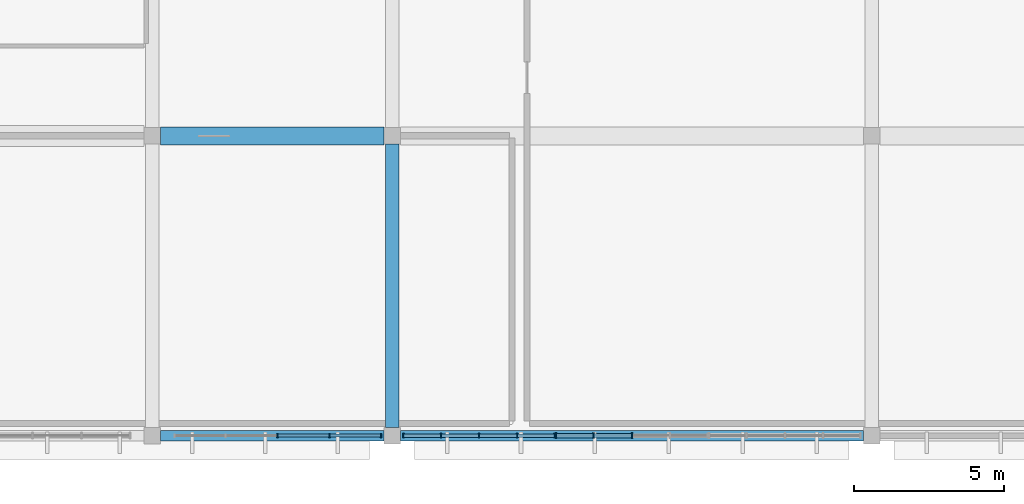
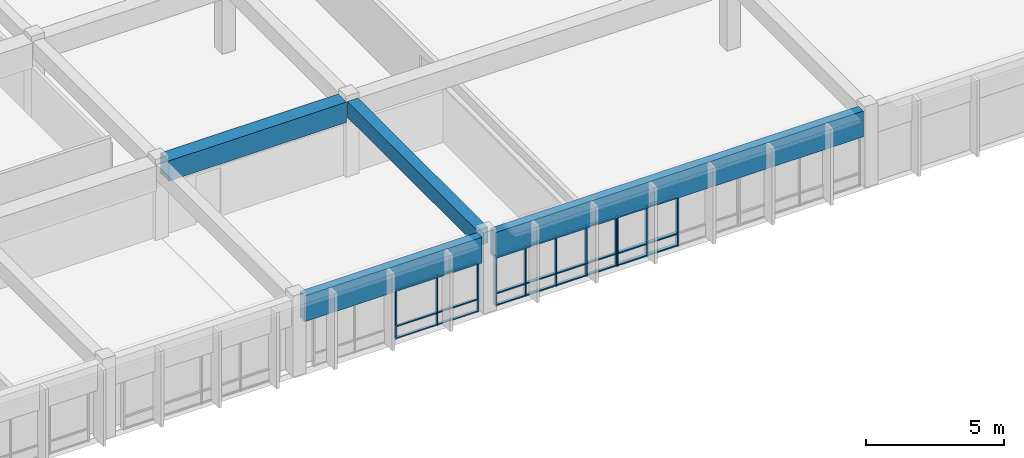
# One storey, part 31 of 77: 35 members, 4 beams, 3 elements without a shape of their own.
"""IFC4 building model written with IfcOpenShell, lengths in metres."""

import ifcopenshell
import ifcopenshell.guid

model = None  # the IFC model being written
_history = None  # IfcOwnerHistory: only IFC2X3 demands one
_inside = {}  # id of a spatial element -> (the spatial element, [elements in it])
_under = {}  # id of a project, library or spatial element -> (it, [spatial elements below it])
_declared = {}  # id of a project -> (the project, [libraries it declares])
_typed = {}  # id of a type object -> (the type object, [elements of that type])
_made_of = {}  # id of a material, layer set ... -> (it, [elements and type objects made of it])


def new_model(schema):
    """Start an empty IFC model of exactly this schema.

    Asked for "IFC4X3", IfcOpenShell would pick the latest addendum, in which some entities
    have other attributes; the version numbers below select the first issue.
    IFC2X3 requires an IfcOwnerHistory on every rooted entity: one is made here for all.
    """
    global model, _history
    if schema == "IFC4X3":
        model = ifcopenshell.file(schema_version=(4, 3, 0, 0))
    else:
        model = ifcopenshell.file(schema=schema)
    _inside.clear()
    _under.clear()
    _declared.clear()
    _typed.clear()
    _made_of.clear()
    _history = None
    if model.schema == "IFC2X3":
        org = make("IfcOrganization", Name="unknown")
        user = make(
            "IfcPersonAndOrganization",
            ThePerson=make("IfcPerson", FamilyName="unknown"),
            TheOrganization=org,
        )
        app = make(
            "IfcApplication",
            ApplicationDeveloper=org,
            Version="unknown",
            ApplicationFullName="unknown",
            ApplicationIdentifier="unknown",
        )
        _history = make(
            "IfcOwnerHistory",
            OwningUser=user,
            OwningApplication=app,
            ChangeAction="ADDED",
            CreationDate=0,
        )
    return model


def make(cls, **values):
    """One entity of the class cls with the attributes given. An attribute that is None is left unset."""
    return model.create_entity(
        cls, **{name: value for name, value in values.items() if value is not None}
    )


def rooted(cls, **values):
    """An entity with a GlobalId (a new one), such as an element, a storey or a relation."""
    return make(cls, GlobalId=ifcopenshell.guid.new(), OwnerHistory=_history, **values)


def si_unit(unit_type, name, prefix=None):
    """IfcSIUnit, for example si_unit("LENGTHUNIT", "METRE", prefix="MILLI")."""
    return make("IfcSIUnit", UnitType=unit_type, Prefix=prefix, Name=name)


def assignment(units):
    """IfcUnitAssignment: the units of a project."""
    return None if units is None else make("IfcUnitAssignment", Units=units)


def point(xyz):
    """IfcCartesianPoint."""
    return None if xyz is None else make("IfcCartesianPoint", Coordinates=xyz)


def direction(xyz):
    """IfcDirection."""
    return None if xyz is None else make("IfcDirection", DirectionRatios=xyz)


def frame(location, z_axis=None, x_axis=None):
    """IfcAxis2Placement3D, a coordinate frame: its origin and axes. An axis left out is left unset."""
    return make(
        "IfcAxis2Placement3D",
        Location=point(location),
        Axis=direction(z_axis),
        RefDirection=direction(x_axis),
    )


def frame_2d(location, x_axis=None):
    """IfcAxis2Placement2D, a coordinate frame in the plane: its origin and x axis."""
    return make(
        "IfcAxis2Placement2D", Location=point(location), RefDirection=direction(x_axis)
    )


def origin():
    """The frame at (0, 0, 0) with its axes left unset."""
    return frame((0.0, 0.0, 0.0))


def origin_2d():
    """The frame at (0, 0) in the plane with its x axis left unset."""
    return frame_2d((0.0, 0.0))


def place(relative_to, where):
    """IfcLocalPlacement: puts the frame where relative to a parent placement (None: the world)."""
    return make(
        "IfcLocalPlacement", PlacementRelTo=relative_to, RelativePlacement=where
    )


def context(
    kind, dimensions, precision=None, world=None, true_north=None, identifier=None
):
    """IfcGeometricRepresentationContext, for example the 3D "Model" context."""
    return make(
        "IfcGeometricRepresentationContext",
        ContextIdentifier=identifier,
        ContextType=kind,
        CoordinateSpaceDimension=dimensions,
        Precision=precision,
        WorldCoordinateSystem=world,
        TrueNorth=true_north,
    )


def subcontext(parent, identifier, kind, view, scale=None):
    """IfcGeometricRepresentationSubContext, for example "Body" below "Model"."""
    return make(
        "IfcGeometricRepresentationSubContext",
        ContextIdentifier=identifier,
        ContextType=kind,
        ParentContext=parent,
        TargetScale=scale,
        TargetView=view,
    )


def project(units=None, contexts=None):
    """IfcProject with its units and contexts."""
    return rooted(
        "IfcProject",
        Name="project",
        RepresentationContexts=contexts,
        UnitsInContext=assignment(units),
    )


def spatial(cls, under=None, at=None, **own):
    """A site, building, storey or space (cls), placed at a placement, below another one or the project."""
    s = rooted(cls, ObjectPlacement=at, **own)
    if under is not None:
        _under.setdefault(under.id(), (under, []))[1].append(s)
    return s


def profile(cls, at=None, kind="AREA", **sizes):
    """A parametric profile (cls). Its sizes go by their IFC names, for example OverallWidth=200.0."""
    return make(cls, ProfileType=kind, Position=at, **sizes)


def rectangle(**sizes):
    """IfcRectangleProfileDef."""
    return profile("IfcRectangleProfileDef", **sizes)


def extrude(swept, where, along, depth):
    """IfcExtrudedAreaSolid: the profile swept, set in the frame where, extruded along a direction by depth."""
    return make(
        "IfcExtrudedAreaSolid",
        SweptArea=swept,
        Position=where,
        ExtrudedDirection=direction(along),
        Depth=depth,
    )


def shape(context_of_items, identifier, shape_type, items):
    """IfcShapeRepresentation: the items that make up one representation, for example the "Body"."""
    return make(
        "IfcShapeRepresentation",
        ContextOfItems=context_of_items,
        RepresentationIdentifier=identifier,
        RepresentationType=shape_type,
        Items=items,
    )


def material(Name=None, Category=None):
    """IfcMaterial."""
    return make("IfcMaterial", Name=Name, Category=Category)


def material_profile(
    of_material, cross_section, Name=None, Category=None, Priority=None
):
    """IfcMaterialProfile: a cross section and its material."""
    return make(
        "IfcMaterialProfile",
        Name=Name,
        Material=of_material,
        Profile=cross_section,
        Priority=Priority,
        Category=Category,
    )


def profile_set(profiles, Name=None, composite=None):
    """IfcMaterialProfileSet."""
    return make(
        "IfcMaterialProfileSet",
        Name=Name,
        MaterialProfiles=profiles,
        CompositeProfile=composite,
    )


def made_of(thing, what):
    """Note that an element or type object is made of a material, layer set ...; save() writes the relation."""
    if what is not None:
        _made_of.setdefault(what.id(), (what, []))[1].append(thing)
    return thing


def type_object(cls, material=None, **own):
    """A type object (cls), such as IfcWallType, which elements share."""
    return made_of(rooted(cls, **own), material)


def element(
    cls,
    number,
    at=None,
    inside=None,
    cuts=None,
    type_object=None,
    material=None,
    context=None,
    identifier="Body",
    shape_type=None,
    held_by="IfcProductDefinitionShape",
    body=None,
    shapes=None,
    **own,
):
    """One element of the class cls, such as IfcWall. Its Tag is "e" and its number.

    at: its placement. inside: the storey or other place that contains it. cuts: it is an
    opening in that element (IfcRelVoidsElement). A single representation is given by context,
    identifier, shape_type and body (its items); several are given by shapes. held_by: the class
    of the entity that holds the representations. save() writes the other relations.
    """
    e = rooted(cls, Tag="e%d" % number, ObjectPlacement=at, **own)
    if body is not None:
        shapes = [shape(context, identifier, shape_type, body)]
    if shapes is not None:
        e.Representation = make(held_by, Representations=shapes)
    if inside is not None:
        _inside.setdefault(inside.id(), (inside, []))[1].append(e)
    if cuts is not None:
        rooted(
            "IfcRelVoidsElement", RelatingBuildingElement=cuts, RelatedOpeningElement=e
        )
    if type_object is not None:
        _typed.setdefault(type_object.id(), (type_object, []))[1].append(e)
    return made_of(e, material)


def aggregate(whole, parts):
    """IfcRelAggregates: a whole, such as a stair, and the parts it consists of."""
    return rooted("IfcRelAggregates", RelatingObject=whole, RelatedObjects=parts)


def save(model, path):
    """Write the relations noted so far, then the file.

    IfcRelAggregates (storeys below a building ...), IfcRelContainedInSpatialStructure (elements
    in a storey), IfcRelDefinesByType, IfcRelAssociatesMaterial and IfcRelDeclares: one each for
    every whole, place, type object, material and project.
    """
    for whole, parts in _under.values():
        aggregate(whole, parts)
    for where, things in _inside.values():
        rooted(
            "IfcRelContainedInSpatialStructure",
            RelatedElements=things,
            RelatingStructure=where,
        )
    for kind, things in _typed.values():
        rooted("IfcRelDefinesByType", RelatedObjects=things, RelatingType=kind)
    for what, things in _made_of.values():
        rooted("IfcRelAssociatesMaterial", RelatedObjects=things, RelatingMaterial=what)
    for by, libraries in _declared.values():
        rooted("IfcRelDeclares", RelatingContext=by, RelatedDefinitions=libraries)
    model.write(path)


model = new_model("IFC4")

# Units and contexts
model_context = context("Model", 3, precision=1e-05, world=origin(), true_north=direction((0.0, 1.0)))
body_context = subcontext(model_context, "Body", "Model", "MODEL_VIEW")
ifc_project = project(units=[si_unit("LENGTHUNIT", "METRE"), si_unit("AREAUNIT", "SQUARE_METRE"), si_unit("VOLUMEUNIT", "CUBIC_METRE"), si_unit("PLANEANGLEUNIT", "RADIAN"), si_unit("MASSUNIT", "GRAM", prefix="KILO")], contexts=[model_context])

# Site, building, storey
site_placement = place(None, origin())
site = spatial("IfcSite", under=ifc_project, at=site_placement, CompositionType="ELEMENT")
building_placement = place(site_placement, origin())
building = spatial("IfcBuilding", under=site, at=building_placement, Name="Larkveld Mobility Hub", CompositionType="ELEMENT")
storey_placement = place(building_placement, frame((0.0, 0.0, 12.0)))
storey = spatial("IfcBuildingStorey", under=building, at=storey_placement, Name="L03", CompositionType="ELEMENT", Elevation=12.0)

# Beams
ifc_material_1 = material(Name="Concrete C40/50", Category="concrete")
ifc_material_profile_1 = material_profile(ifc_material_1, rectangle(XDim=0.449951171875, YDim=0.699951171875, at=origin_2d()), Name="RC BM 450x700")
ifc_profile_set_1 = profile_set([ifc_material_profile_1], Name="Concrete C40/50")
beam_type_1 = type_object("IfcBeamType", Name="BM-RC4570", PredefinedType="BEAM", material=ifc_profile_set_1)
beam_1_placement = place(storey_placement, frame((152.0, 0.27490234375, 3.010009765625), z_axis=(0.0, 1.0, 0.0), x_axis=(-1.0, 0.0, 0.0)))
element("IfcBeam", 1, at=beam_1_placement, inside=storey, type_object=beam_type_1, Name="Primary N-S Girder L03-0834", PredefinedType="BEAM", context=body_context, shape_type="SweptSolid", body=[
    extrude(rectangle(XDim=0.449951171875, YDim=0.699951171875, at=origin_2d()), origin(), (0.0, 0.0, 1.0), 9.4501953125),
])
ifc_material_profile_2 = material_profile(ifc_material_1, rectangle(XDim=0.60009765625, YDim=0.89990234375, at=origin_2d()), Name="RC BM 600x900")
ifc_profile_set_2 = profile_set([ifc_material_profile_2], Name="Concrete C40/50")
beam_type_2 = type_object("IfcBeamType", Name="BM-RC6090", PredefinedType="BEAM", material=ifc_profile_set_2)
beam_2_placement = place(storey_placement, frame((144.27490234375, 10.0, 2.909912109375), z_axis=(1.0, 0.0, 0.0), x_axis=(0.0, 1.0, 0.0)))
element("IfcBeam", 2, at=beam_2_placement, inside=storey, type_object=beam_type_2, Name="Primary E-W Girder L03-0703", PredefinedType="BEAM", context=body_context, shape_type="SweptSolid", body=[
    extrude(rectangle(XDim=0.60009765625, YDim=0.89990234375, at=origin_2d()), origin(), (0.0, 0.0, 1.0), 7.4501953125),
])
ifc_material_2 = material(Name="Precast concrete C50/60", Category="concrete")
ifc_material_profile_3 = material_profile(ifc_material_2, rectangle(XDim=0.35009765625, YDim=1.14990234375, at=origin_2d()), Name="PC SP 350x1150")
ifc_profile_set_3 = profile_set([ifc_material_profile_3], Name="Precast concrete C50/60")
beam_type_3 = type_object("IfcBeamType", Name="BM-SP35115", PredefinedType="SPANDREL", material=ifc_profile_set_3)
beam_3_placement = place(storey_placement, frame((144.27490234375, 0.0, 2.784912109375), z_axis=(1.0, 0.0, 0.0), x_axis=(0.0, 1.0, 0.0)))
element("IfcBeam", 3, at=beam_3_placement, inside=storey, type_object=beam_type_3, Name="Primary E-W Girder L03-0696", PredefinedType="SPANDREL", context=body_context, shape_type="SweptSolid", body=[
    extrude(rectangle(XDim=0.35009765625, YDim=1.14990234375, at=origin_2d()), origin(), (0.0, 0.0, 1.0), 7.4501953125),
])
beam_4_placement = place(storey_placement, frame((152.27490234375, 0.0, 2.784912109375), z_axis=(1.0, 0.0, 0.0), x_axis=(0.0, 1.0, 0.0)))
element("IfcBeam", 4, at=beam_4_placement, inside=storey, type_object=beam_type_3, Name="Primary E-W Girder L03-0697", PredefinedType="SPANDREL", context=body_context, shape_type="SweptSolid", body=[
    extrude(rectangle(XDim=0.35009765625, YDim=1.14990234375, at=origin_2d()), origin(), (0.0, 0.0, 1.0), 15.4501953125),
])

# Curtain wall, members
ifc_material_3 = material(Name="Anodised aluminium 6063-T6", Category="aluminium")
curtain_wall_type_1 = type_object("IfcCurtainWallType", Name="CW-SYS-09", PredefinedType="NOTDEFINED", material=ifc_material_3)
curtain_wall_1_placement = place(storey_placement, origin())
curtain_wall_1 = element("IfcCurtainWall", 5, at=curtain_wall_1_placement, inside=storey, type_object=curtain_wall_type_1, Name="Service Wing South Glazing L03 CW-117", PredefinedType="NOTDEFINED")
ifc_material_profile_4 = material_profile(ifc_material_3, rectangle(XDim=0.050048828125, YDim=0.14990234375, at=origin_2d()), Name="ALU MULL 50x150")
ifc_profile_set_4 = profile_set([ifc_material_profile_4], Name="Anodised aluminium 6063-T6")
member_type_1 = type_object("IfcMemberType", Name="CW-MUL-01", PredefinedType="MULLION", material=ifc_profile_set_4)
member_1_placement = place(storey_placement, frame((152.375, 0.0, -0.001953125), z_axis=(0.0, 0.0, 1.0), x_axis=(1.0, 0.0, 0.0)))
member_1 = element("IfcMember", 6, at=member_1_placement, type_object=member_type_1, Name="CW09 mullion 1", PredefinedType="MULLION", context=body_context, shape_type="SweptSolid", body=[
    extrude(rectangle(XDim=0.050048828125, YDim=0.14990234375, at=origin_2d()), origin(), (0.0, 0.0, 1.0), 2.2119140625),
])
member_2_placement = place(storey_placement, frame((153.625, 0.0, -0.001953125), z_axis=(0.0, 0.0, 1.0), x_axis=(1.0, 0.0, 0.0)))
member_2 = element("IfcMember", 7, at=member_2_placement, type_object=member_type_1, Name="CW09 mullion 2", PredefinedType="MULLION", context=body_context, shape_type="SweptSolid", body=[
    extrude(rectangle(XDim=0.050048828125, YDim=0.14990234375, at=origin_2d()), origin(), (0.0, 0.0, 1.0), 2.2119140625),
])
member_3_placement = place(storey_placement, frame((154.89990234375, 0.0, -0.001953125), z_axis=(0.0, 0.0, 1.0), x_axis=(1.0, 0.0, 0.0)))
member_3 = element("IfcMember", 8, at=member_3_placement, type_object=member_type_1, Name="CW09 mullion 3", PredefinedType="MULLION", context=body_context, shape_type="SweptSolid", body=[
    extrude(rectangle(XDim=0.050048828125, YDim=0.14990234375, at=origin_2d()), origin(), (0.0, 0.0, 1.0), 2.2119140625),
])
member_4_placement = place(storey_placement, frame((156.175048828125, 0.0, -0.001953125), z_axis=(0.0, 0.0, 1.0), x_axis=(1.0, 0.0, 0.0)))
member_4 = element("IfcMember", 9, at=member_4_placement, type_object=member_type_1, Name="CW09 mullion 4", PredefinedType="MULLION", context=body_context, shape_type="SweptSolid", body=[
    extrude(rectangle(XDim=0.050048828125, YDim=0.14990234375, at=origin_2d()), origin(), (0.0, 0.0, 1.0), 2.2119140625),
])
member_5_placement = place(storey_placement, frame((157.425048828125, 0.0, -0.001953125), z_axis=(0.0, 0.0, 1.0), x_axis=(1.0, 0.0, 0.0)))
member_5 = element("IfcMember", 10, at=member_5_placement, type_object=member_type_1, Name="CW09 mullion 5", PredefinedType="MULLION", context=body_context, shape_type="SweptSolid", body=[
    extrude(rectangle(XDim=0.050048828125, YDim=0.14990234375, at=origin_2d()), origin(), (0.0, 0.0, 1.0), 2.2119140625),
])

curtain_wall_type_2 = type_object("IfcCurtainWallType", Name="CW-SYS-10", PredefinedType="NOTDEFINED", material=ifc_material_3)
curtain_wall_2_placement = place(storey_placement, origin())
curtain_wall_2 = element("IfcCurtainWall", 11, at=curtain_wall_2_placement, inside=storey, type_object=curtain_wall_type_2, Name="Service Wing South Glazing L03 CW-118", PredefinedType="NOTDEFINED")
ifc_material_profile_5 = material_profile(ifc_material_3, rectangle(XDim=0.050048828125, YDim=0.179931640625, at=origin_2d()), Name="ALU MULL 50x180")
ifc_profile_set_5 = profile_set([ifc_material_profile_5], Name="Anodised aluminium 6063-T6")
member_type_2 = type_object("IfcMemberType", Name="CW-MUL-02", PredefinedType="MULLION", material=ifc_profile_set_5)
member_6_placement = place(storey_placement, frame((157.47509765625, 0.0, -0.001953125), z_axis=(0.0, 0.0, 1.0), x_axis=(1.0, 0.0, 0.0)))
member_6 = element("IfcMember", 12, at=member_6_placement, type_object=member_type_2, Name="CW10 mullion 1", PredefinedType="MULLION", context=body_context, shape_type="SweptSolid", body=[
    extrude(rectangle(XDim=0.050048828125, YDim=0.179931640625, at=origin_2d()), origin(), (0.0, 0.0, 1.0), 2.2119140625),
])
member_7_placement = place(storey_placement, frame((158.72509765625, 0.0, -0.001953125), z_axis=(0.0, 0.0, 1.0), x_axis=(1.0, 0.0, 0.0)))
member_7 = element("IfcMember", 13, at=member_7_placement, type_object=member_type_2, Name="CW10 mullion 2", PredefinedType="MULLION", context=body_context, shape_type="SweptSolid", body=[
    extrude(rectangle(XDim=0.050048828125, YDim=0.179931640625, at=origin_2d()), origin(), (0.0, 0.0, 1.0), 2.2119140625),
])
member_8_placement = place(storey_placement, frame((160.0, 0.0, -0.001953125), z_axis=(0.0, 0.0, 1.0), x_axis=(1.0, 0.0, 0.0)))
member_8 = element("IfcMember", 14, at=member_8_placement, type_object=member_type_2, Name="CW10 mullion 3", PredefinedType="MULLION", context=body_context, shape_type="SweptSolid", body=[
    extrude(rectangle(XDim=0.050048828125, YDim=0.179931640625, at=origin_2d()), origin(), (0.0, 0.0, 1.0), 2.2119140625),
])

curtain_wall_type_3 = type_object("IfcCurtainWallType", Name="CW-SYS-08", PredefinedType="NOTDEFINED", material=ifc_material_3)
curtain_wall_3_placement = place(storey_placement, origin())
curtain_wall_3 = element("IfcCurtainWall", 15, at=curtain_wall_3_placement, inside=storey, type_object=curtain_wall_type_3, Name="Service Centre South Curtain Wall L03 CW-116", PredefinedType="NOTDEFINED")
ifc_material_profile_6 = material_profile(ifc_material_3, rectangle(XDim=0.050048828125, YDim=0.1298828125, at=origin_2d()), Name="ALU MULL 50x130")
ifc_profile_set_6 = profile_set([ifc_material_profile_6], Name="Anodised aluminium 6063-T6")
member_type_3 = type_object("IfcMemberType", Name="CW-MUL-04", PredefinedType="MULLION", material=ifc_profile_set_6)
member_9_placement = place(storey_placement, frame((148.18310546875, 0.0, -0.001953125), z_axis=(0.0, 0.0, 1.0), x_axis=(1.0, 0.0, 0.0)))
member_9 = element("IfcMember", 16, at=member_9_placement, type_object=member_type_3, Name="CW08 mullion 3", PredefinedType="MULLION", context=body_context, shape_type="SweptSolid", body=[
    extrude(rectangle(XDim=0.050048828125, YDim=0.1298828125, at=origin_2d()), origin(), (0.0, 0.0, 1.0), 2.2119140625),
])
member_10_placement = place(storey_placement, frame((149.916015625, 0.0, -0.001953125), z_axis=(0.0, 0.0, 1.0), x_axis=(1.0, 0.0, 0.0)))
member_10 = element("IfcMember", 17, at=member_10_placement, type_object=member_type_3, Name="CW08 mullion 4", PredefinedType="MULLION", context=body_context, shape_type="SweptSolid", body=[
    extrude(rectangle(XDim=0.050048828125, YDim=0.1298828125, at=origin_2d()), origin(), (0.0, 0.0, 1.0), 2.2119140625),
])
member_11_placement = place(storey_placement, frame((151.625, 0.0, -0.001953125), z_axis=(0.0, 0.0, 1.0), x_axis=(1.0, 0.0, 0.0)))
member_11 = element("IfcMember", 18, at=member_11_placement, type_object=member_type_3, Name="CW08 mullion 5", PredefinedType="MULLION", context=body_context, shape_type="SweptSolid", body=[
    extrude(rectangle(XDim=0.050048828125, YDim=0.1298828125, at=origin_2d()), origin(), (0.0, 0.0, 1.0), 2.2119140625),
])

# Member
ifc_material_profile_7 = material_profile(ifc_material_3, rectangle(XDim=0.1201171875, YDim=0.050048828125, at=origin_2d()), Name="ALU TRAN 50x120")
ifc_profile_set_7 = profile_set([ifc_material_profile_7], Name="Anodised aluminium 6063-T6")
member_type_4 = type_object("IfcMemberType", Name="CW-TRN-01", PredefinedType="USERDEFINED", material=ifc_profile_set_7)
member_12_placement = place(storey_placement, frame((152.385009765625, 0.0, 0.030029296875), z_axis=(1.0, 0.0, 0.0), x_axis=(0.0, 1.0, 0.0)))
member_12 = element("IfcMember", 19, at=member_12_placement, type_object=member_type_4, Name="CW09 transom 1.1", ObjectType="TRANSOM", PredefinedType="USERDEFINED", context=body_context, shape_type="SweptSolid", body=[
    extrude(rectangle(XDim=0.1201171875, YDim=0.050048828125, at=origin_2d()), origin(), (0.0, 0.0, 1.0), 1.22509765625),
])

member_13_placement = place(storey_placement, frame((152.385009765625, 0.0, 0.552001953125), z_axis=(1.0, 0.0, 0.0), x_axis=(0.0, 1.0, 0.0)))
member_13 = element("IfcMember", 20, at=member_13_placement, type_object=member_type_4, Name="CW09 transom 1.2", ObjectType="TRANSOM", PredefinedType="USERDEFINED", context=body_context, shape_type="SweptSolid", body=[
    extrude(rectangle(XDim=0.1201171875, YDim=0.050048828125, at=origin_2d()), origin(), (0.0, 0.0, 1.0), 1.22509765625),
])

member_14_placement = place(storey_placement, frame((152.385009765625, 0.0, 2.177978515625), z_axis=(1.0, 0.0, 0.0), x_axis=(0.0, 1.0, 0.0)))
member_14 = element("IfcMember", 21, at=member_14_placement, type_object=member_type_4, Name="CW09 transom 1.3", ObjectType="TRANSOM", PredefinedType="USERDEFINED", context=body_context, shape_type="SweptSolid", body=[
    extrude(rectangle(XDim=0.1201171875, YDim=0.050048828125, at=origin_2d()), origin(), (0.0, 0.0, 1.0), 1.22509765625),
])

member_15_placement = place(storey_placement, frame((153.639892578125, 0.0, 0.030029296875), z_axis=(1.0, 0.0, 0.0), x_axis=(0.0, 1.0, 0.0)))
member_15 = element("IfcMember", 22, at=member_15_placement, type_object=member_type_4, Name="CW09 transom 2.1", ObjectType="TRANSOM", PredefinedType="USERDEFINED", context=body_context, shape_type="SweptSolid", body=[
    extrude(rectangle(XDim=0.1201171875, YDim=0.050048828125, at=origin_2d()), origin(), (0.0, 0.0, 1.0), 1.2451171875),
])

member_16_placement = place(storey_placement, frame((153.639892578125, 0.0, 0.552001953125), z_axis=(1.0, 0.0, 0.0), x_axis=(0.0, 1.0, 0.0)))
member_16 = element("IfcMember", 23, at=member_16_placement, type_object=member_type_4, Name="CW09 transom 2.2", ObjectType="TRANSOM", PredefinedType="USERDEFINED", context=body_context, shape_type="SweptSolid", body=[
    extrude(rectangle(XDim=0.1201171875, YDim=0.050048828125, at=origin_2d()), origin(), (0.0, 0.0, 1.0), 1.2451171875),
])

member_17_placement = place(storey_placement, frame((153.639892578125, 0.0, 2.177978515625), z_axis=(1.0, 0.0, 0.0), x_axis=(0.0, 1.0, 0.0)))
member_17 = element("IfcMember", 24, at=member_17_placement, type_object=member_type_4, Name="CW09 transom 2.3", ObjectType="TRANSOM", PredefinedType="USERDEFINED", context=body_context, shape_type="SweptSolid", body=[
    extrude(rectangle(XDim=0.1201171875, YDim=0.050048828125, at=origin_2d()), origin(), (0.0, 0.0, 1.0), 1.2451171875),
])

member_18_placement = place(storey_placement, frame((154.9150390625, 0.0, 0.030029296875), z_axis=(1.0, 0.0, 0.0), x_axis=(0.0, 1.0, 0.0)))
member_18 = element("IfcMember", 25, at=member_18_placement, type_object=member_type_4, Name="CW09 transom 3.1", ObjectType="TRANSOM", PredefinedType="USERDEFINED", context=body_context, shape_type="SweptSolid", body=[
    extrude(rectangle(XDim=0.1201171875, YDim=0.050048828125, at=origin_2d()), origin(), (0.0, 0.0, 1.0), 1.244873046875),
])

member_19_placement = place(storey_placement, frame((154.9150390625, 0.0, 0.552001953125), z_axis=(1.0, 0.0, 0.0), x_axis=(0.0, 1.0, 0.0)))
member_19 = element("IfcMember", 26, at=member_19_placement, type_object=member_type_4, Name="CW09 transom 3.2", ObjectType="TRANSOM", PredefinedType="USERDEFINED", context=body_context, shape_type="SweptSolid", body=[
    extrude(rectangle(XDim=0.1201171875, YDim=0.050048828125, at=origin_2d()), origin(), (0.0, 0.0, 1.0), 1.244873046875),
])

member_20_placement = place(storey_placement, frame((154.9150390625, 0.0, 2.177978515625), z_axis=(1.0, 0.0, 0.0), x_axis=(0.0, 1.0, 0.0)))
member_20 = element("IfcMember", 27, at=member_20_placement, type_object=member_type_4, Name="CW09 transom 3.3", ObjectType="TRANSOM", PredefinedType="USERDEFINED", context=body_context, shape_type="SweptSolid", body=[
    extrude(rectangle(XDim=0.1201171875, YDim=0.050048828125, at=origin_2d()), origin(), (0.0, 0.0, 1.0), 1.244873046875),
])

member_21_placement = place(storey_placement, frame((156.18994140625, 0.0, 0.030029296875), z_axis=(1.0, 0.0, 0.0), x_axis=(0.0, 1.0, 0.0)))
member_21 = element("IfcMember", 28, at=member_21_placement, type_object=member_type_4, Name="CW09 transom 4.1", ObjectType="TRANSOM", PredefinedType="USERDEFINED", context=body_context, shape_type="SweptSolid", body=[
    extrude(rectangle(XDim=0.1201171875, YDim=0.050048828125, at=origin_2d()), origin(), (0.0, 0.0, 1.0), 1.22509765625),
])

member_22_placement = place(storey_placement, frame((156.18994140625, 0.0, 0.552001953125), z_axis=(1.0, 0.0, 0.0), x_axis=(0.0, 1.0, 0.0)))
member_22 = element("IfcMember", 29, at=member_22_placement, type_object=member_type_4, Name="CW09 transom 4.2", ObjectType="TRANSOM", PredefinedType="USERDEFINED", context=body_context, shape_type="SweptSolid", body=[
    extrude(rectangle(XDim=0.1201171875, YDim=0.050048828125, at=origin_2d()), origin(), (0.0, 0.0, 1.0), 1.22509765625),
])

member_23_placement = place(storey_placement, frame((156.18994140625, 0.0, 2.177978515625), z_axis=(1.0, 0.0, 0.0), x_axis=(0.0, 1.0, 0.0)))
member_23 = element("IfcMember", 30, at=member_23_placement, type_object=member_type_4, Name="CW09 transom 4.3", ObjectType="TRANSOM", PredefinedType="USERDEFINED", context=body_context, shape_type="SweptSolid", body=[
    extrude(rectangle(XDim=0.1201171875, YDim=0.050048828125, at=origin_2d()), origin(), (0.0, 0.0, 1.0), 1.22509765625),
])

aggregate(curtain_wall_1, [member_1, member_2, member_3, member_4, member_5, member_12, member_13, member_14, member_15, member_16, member_17, member_18, member_19, member_20, member_21, member_22, member_23])

ifc_material_profile_8 = material_profile(ifc_material_3, rectangle(XDim=0.14990234375, YDim=0.050048828125, at=origin_2d()), Name="ALU TRAN 50x150")
ifc_profile_set_8 = profile_set([ifc_material_profile_8], Name="Anodised aluminium 6063-T6")
member_type_5 = type_object("IfcMemberType", Name="CW-TRN-02", PredefinedType="USERDEFINED", material=ifc_profile_set_8)
member_24_placement = place(storey_placement, frame((157.485107421875, 0.0, 0.030029296875), z_axis=(1.0, 0.0, 0.0), x_axis=(0.0, 1.0, 0.0)))
member_24 = element("IfcMember", 31, at=member_24_placement, type_object=member_type_5, Name="CW10 transom 1.1", ObjectType="TRANSOM", PredefinedType="USERDEFINED", context=body_context, shape_type="SweptSolid", body=[
    extrude(rectangle(XDim=0.14990234375, YDim=0.050048828125, at=origin_2d()), origin(), (0.0, 0.0, 1.0), 1.224853515625),
])

member_25_placement = place(storey_placement, frame((157.485107421875, 0.0, 0.552001953125), z_axis=(1.0, 0.0, 0.0), x_axis=(0.0, 1.0, 0.0)))
member_25 = element("IfcMember", 32, at=member_25_placement, type_object=member_type_5, Name="CW10 transom 1.2", ObjectType="TRANSOM", PredefinedType="USERDEFINED", context=body_context, shape_type="SweptSolid", body=[
    extrude(rectangle(XDim=0.14990234375, YDim=0.050048828125, at=origin_2d()), origin(), (0.0, 0.0, 1.0), 1.224853515625),
])

member_26_placement = place(storey_placement, frame((157.485107421875, 0.0, 2.177978515625), z_axis=(1.0, 0.0, 0.0), x_axis=(0.0, 1.0, 0.0)))
member_26 = element("IfcMember", 33, at=member_26_placement, type_object=member_type_5, Name="CW10 transom 1.3", ObjectType="TRANSOM", PredefinedType="USERDEFINED", context=body_context, shape_type="SweptSolid", body=[
    extrude(rectangle(XDim=0.14990234375, YDim=0.050048828125, at=origin_2d()), origin(), (0.0, 0.0, 1.0), 1.224853515625),
])

member_27_placement = place(storey_placement, frame((158.739990234375, 0.0, 0.030029296875), z_axis=(1.0, 0.0, 0.0), x_axis=(0.0, 1.0, 0.0)))
member_27 = element("IfcMember", 34, at=member_27_placement, type_object=member_type_5, Name="CW10 transom 2.1", ObjectType="TRANSOM", PredefinedType="USERDEFINED", context=body_context, shape_type="SweptSolid", body=[
    extrude(rectangle(XDim=0.14990234375, YDim=0.050048828125, at=origin_2d()), origin(), (0.0, 0.0, 1.0), 1.2451171875),
])

member_28_placement = place(storey_placement, frame((158.739990234375, 0.0, 0.552001953125), z_axis=(1.0, 0.0, 0.0), x_axis=(0.0, 1.0, 0.0)))
member_28 = element("IfcMember", 35, at=member_28_placement, type_object=member_type_5, Name="CW10 transom 2.2", ObjectType="TRANSOM", PredefinedType="USERDEFINED", context=body_context, shape_type="SweptSolid", body=[
    extrude(rectangle(XDim=0.14990234375, YDim=0.050048828125, at=origin_2d()), origin(), (0.0, 0.0, 1.0), 1.2451171875),
])

member_29_placement = place(storey_placement, frame((158.739990234375, 0.0, 2.177978515625), z_axis=(1.0, 0.0, 0.0), x_axis=(0.0, 1.0, 0.0)))
member_29 = element("IfcMember", 36, at=member_29_placement, type_object=member_type_5, Name="CW10 transom 2.3", ObjectType="TRANSOM", PredefinedType="USERDEFINED", context=body_context, shape_type="SweptSolid", body=[
    extrude(rectangle(XDim=0.14990234375, YDim=0.050048828125, at=origin_2d()), origin(), (0.0, 0.0, 1.0), 1.2451171875),
])

aggregate(curtain_wall_2, [member_6, member_7, member_8, member_24, member_25, member_26, member_27, member_28, member_29])

ifc_material_profile_9 = material_profile(ifc_material_3, rectangle(XDim=0.10009765625, YDim=0.050048828125, at=origin_2d()), Name="ALU TRAN 50x100")
ifc_profile_set_9 = profile_set([ifc_material_profile_9], Name="Anodised aluminium 6063-T6")
member_type_6 = type_object("IfcMemberType", Name="CW-TRN-04", PredefinedType="USERDEFINED", material=ifc_profile_set_9)
member_30_placement = place(storey_placement, frame((148.197021484375, 0.0, 0.030029296875), z_axis=(1.0, 0.0, 0.0), x_axis=(0.0, 1.0, 0.0)))
member_30 = element("IfcMember", 37, at=member_30_placement, type_object=member_type_6, Name="CW08 transom 3.1", ObjectType="TRANSOM", PredefinedType="USERDEFINED", context=body_context, shape_type="SweptSolid", body=[
    extrude(rectangle(XDim=0.10009765625, YDim=0.050048828125, at=origin_2d()), origin(), (0.0, 0.0, 1.0), 1.703857421875),
])

member_31_placement = place(storey_placement, frame((148.197021484375, 0.0, 0.552001953125), z_axis=(1.0, 0.0, 0.0), x_axis=(0.0, 1.0, 0.0)))
member_31 = element("IfcMember", 38, at=member_31_placement, type_object=member_type_6, Name="CW08 transom 3.2", ObjectType="TRANSOM", PredefinedType="USERDEFINED", context=body_context, shape_type="SweptSolid", body=[
    extrude(rectangle(XDim=0.10009765625, YDim=0.050048828125, at=origin_2d()), origin(), (0.0, 0.0, 1.0), 1.703857421875),
])

member_32_placement = place(storey_placement, frame((148.197021484375, 0.0, 2.177978515625), z_axis=(1.0, 0.0, 0.0), x_axis=(0.0, 1.0, 0.0)))
member_32 = element("IfcMember", 39, at=member_32_placement, type_object=member_type_6, Name="CW08 transom 3.3", ObjectType="TRANSOM", PredefinedType="USERDEFINED", context=body_context, shape_type="SweptSolid", body=[
    extrude(rectangle(XDim=0.10009765625, YDim=0.050048828125, at=origin_2d()), origin(), (0.0, 0.0, 1.0), 1.703857421875),
])

member_33_placement = place(storey_placement, frame((149.930908203125, 0.0, 0.030029296875), z_axis=(1.0, 0.0, 0.0), x_axis=(0.0, 1.0, 0.0)))
member_33 = element("IfcMember", 40, at=member_33_placement, type_object=member_type_6, Name="CW08 transom 4.1", ObjectType="TRANSOM", PredefinedType="USERDEFINED", context=body_context, shape_type="SweptSolid", body=[
    extrude(rectangle(XDim=0.10009765625, YDim=0.050048828125, at=origin_2d()), origin(), (0.0, 0.0, 1.0), 1.68408203125),
])

member_34_placement = place(storey_placement, frame((149.930908203125, 0.0, 0.552001953125), z_axis=(1.0, 0.0, 0.0), x_axis=(0.0, 1.0, 0.0)))
member_34 = element("IfcMember", 41, at=member_34_placement, type_object=member_type_6, Name="CW08 transom 4.2", ObjectType="TRANSOM", PredefinedType="USERDEFINED", context=body_context, shape_type="SweptSolid", body=[
    extrude(rectangle(XDim=0.10009765625, YDim=0.050048828125, at=origin_2d()), origin(), (0.0, 0.0, 1.0), 1.68408203125),
])

member_35_placement = place(storey_placement, frame((149.930908203125, 0.0, 2.177978515625), z_axis=(1.0, 0.0, 0.0), x_axis=(0.0, 1.0, 0.0)))
member_35 = element("IfcMember", 42, at=member_35_placement, type_object=member_type_6, Name="CW08 transom 4.3", ObjectType="TRANSOM", PredefinedType="USERDEFINED", context=body_context, shape_type="SweptSolid", body=[
    extrude(rectangle(XDim=0.10009765625, YDim=0.050048828125, at=origin_2d()), origin(), (0.0, 0.0, 1.0), 1.68408203125),
])

aggregate(curtain_wall_3, [member_9, member_10, member_11, member_30, member_31, member_32, member_33, member_34, member_35])

save(model, "model.ifc")
